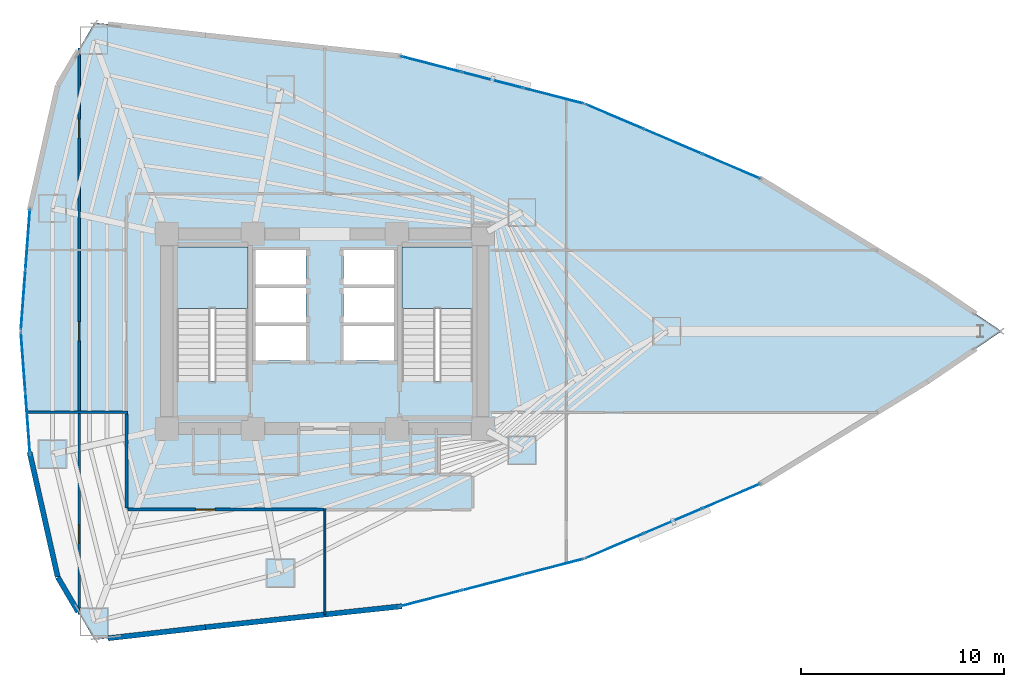
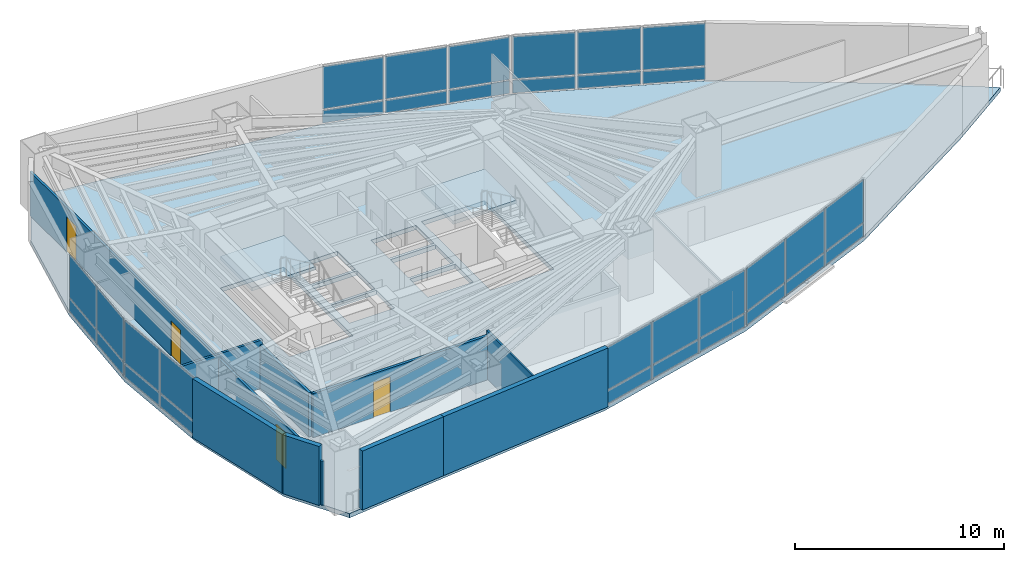
# One storey, part 14 of 20: 32 plates, 9 walls, 4 doors, 3 slabs, 4 openings, 8 elements without a shape of their own.
"""IFC4 building model written with IfcOpenShell, lengths in metres."""

from ifc_helpers import new_model, si_unit, direction, frame, frame_2d, origin, origin_2d, place, context, subcontext, project, spatial, polyline, rectangle, outline, extrude, material, layer, layer_set, type_object, element, fill, aggregate, save


model = new_model("IFC4")

# Units and contexts
model_context = context("Model", 3, precision=1e-05, world=origin(), true_north=direction((0.0, 1.0)))
body_context = subcontext(model_context, "Body", "Model", "MODEL_VIEW")
ifc_project = project(units=[si_unit("LENGTHUNIT", "METRE"), si_unit("AREAUNIT", "SQUARE_METRE"), si_unit("VOLUMEUNIT", "CUBIC_METRE"), si_unit("PLANEANGLEUNIT", "RADIAN"), si_unit("MASSUNIT", "GRAM", prefix="KILO")], contexts=[model_context])

# Site, building, storey
site_placement = place(None, origin())
site = spatial("IfcSite", under=ifc_project, at=site_placement, CompositionType="ELEMENT")
building_placement = place(site_placement, origin())
building = spatial("IfcBuilding", under=site, at=building_placement, Name="Menara Vayukalpa", CompositionType="ELEMENT")
storey_placement = place(building_placement, frame((0.0, 0.0, 64.800048828125)))
storey = spatial("IfcBuildingStorey", under=building, at=storey_placement, Name="L15", CompositionType="ELEMENT", Elevation=64.800048828125)

# Curtain wall, plates
ifc_material_1 = material(Name="Anodised Terracotta Aluminium Alloy 6063-T6", Category="masonry")
ifc_layer_1 = layer(ifc_material_1, 0.179931640625)
ifc_layer_set_1 = layer_set([ifc_layer_1], Name="Anodised Terracotta Aluminium Alloy 6063-T6")
curtain_wall_type = type_object("IfcCurtainWallType", Name="CW-CW4", PredefinedType="USERDEFINED", material=ifc_layer_set_1)
curtain_wall_1_placement = place(storey_placement, origin())
curtain_wall_1 = element("IfcCurtainWall", 1, at=curtain_wall_1_placement, inside=storey, type_object=curtain_wall_type, Name="L15 Sky Bar Cantilever Glazed Curtain Wall CW4 04", ObjectType="UNITISED", PredefinedType="USERDEFINED")
ifc_material_2 = material(Name="Low-E Double Glazing", Category="glass")
ifc_layer_2 = layer(ifc_material_2, 0.0380859375)
ifc_layer_set_2 = layer_set([ifc_layer_2], Name="Low-E Double Glazing")
plate_type = type_object("IfcPlateType", Name="CWP-CW4", PredefinedType="CURTAIN_PANEL", material=ifc_layer_set_2)
plate_1_placement = place(storey_placement, frame((45.634033203125, 30.132080078125, 0.06982421875), z_axis=(0.0, 0.0, 1.0), x_axis=(-0.919961751315, 0.392008132718, 0.0)))
plate_1 = element("IfcPlate", 2, at=plate_1_placement, type_object=plate_type, Name="CW4 panel 1.1", PredefinedType="CURTAIN_PANEL", context=body_context, shape_type="SweptSolid", body=[
    extrude(rectangle(XDim=3.03173828125, YDim=0.0380859375, at=origin_2d()), origin(), (0.0, 0.0, 1.0), 0.7451171875),
])
plate_2_placement = place(storey_placement, frame((45.634033203125, 30.132080078125, 0.884765625), z_axis=(0.0, 0.0, 1.0), x_axis=(-0.919961751315, 0.392008132718, 0.0)))
plate_2 = element("IfcPlate", 3, at=plate_2_placement, type_object=plate_type, Name="CW4 panel 1.2", PredefinedType="CURTAIN_PANEL", context=body_context, shape_type="SweptSolid", body=[
    extrude(rectangle(XDim=3.03173828125, YDim=0.0380859375, at=origin_2d()), origin(), (0.0, 0.0, 1.0), 2.485107421875),
])
plate_3_placement = place(storey_placement, frame((42.7587890625, 31.357177734375, 0.06982421875), z_axis=(0.0, 0.0, 1.0), x_axis=(-0.919961751315, 0.392008132718, 0.0)))
plate_3 = element("IfcPlate", 4, at=plate_3_placement, type_object=plate_type, Name="CW4 panel 2.1", PredefinedType="CURTAIN_PANEL", context=body_context, shape_type="SweptSolid", body=[
    extrude(rectangle(XDim=3.069091796875, YDim=0.0380859375, at=origin_2d()), origin(), (0.0, 0.0, 1.0), 0.7451171875),
])
plate_4_placement = place(storey_placement, frame((42.7587890625, 31.357177734375, 0.884765625), z_axis=(0.0, 0.0, 1.0), x_axis=(-0.919961751315, 0.392008132718, 0.0)))
plate_4 = element("IfcPlate", 5, at=plate_4_placement, type_object=plate_type, Name="CW4 panel 2.2", PredefinedType="CURTAIN_PANEL", context=body_context, shape_type="SweptSolid", body=[
    extrude(rectangle(XDim=3.069091796875, YDim=0.0380859375, at=origin_2d()), origin(), (0.0, 0.0, 1.0), 2.485107421875),
])
plate_5_placement = place(storey_placement, frame((39.883544921875, 32.582275390625, 0.06982421875), z_axis=(0.0, 0.0, 1.0), x_axis=(-0.919961751315, 0.392008132718, 0.0)))
plate_5 = element("IfcPlate", 6, at=plate_5_placement, type_object=plate_type, Name="CW4 panel 3.1", PredefinedType="CURTAIN_PANEL", context=body_context, shape_type="SweptSolid", body=[
    extrude(rectangle(XDim=3.03173828125, YDim=0.0380859375, at=origin_2d()), origin(), (0.0, 0.0, 1.0), 0.7451171875),
])
plate_6_placement = place(storey_placement, frame((39.883544921875, 32.582275390625, 0.884765625), z_axis=(0.0, 0.0, 1.0), x_axis=(-0.919961751315, 0.392008132718, 0.0)))
plate_6 = element("IfcPlate", 7, at=plate_6_placement, type_object=plate_type, Name="CW4 panel 3.2", PredefinedType="CURTAIN_PANEL", context=body_context, shape_type="SweptSolid", body=[
    extrude(rectangle(XDim=3.03173828125, YDim=0.0380859375, at=origin_2d()), origin(), (0.0, 0.0, 1.0), 2.485107421875),
])
aggregate(curtain_wall_1, [plate_1, plate_2, plate_3, plate_4, plate_5, plate_6])

curtain_wall_2_placement = place(storey_placement, origin())
curtain_wall_2 = element("IfcCurtainWall", 8, at=curtain_wall_2_placement, inside=storey, type_object=curtain_wall_type, Name="L15 Sky Bar Cantilever Glazed Curtain Wall CW4 05", ObjectType="UNITISED", PredefinedType="USERDEFINED")
plate_7_placement = place(storey_placement, frame((36.8798828125, 33.604248046875, 0.06982421875), z_axis=(0.0, 0.0, 1.0), x_axis=(-0.968141727209, 0.25040286747, 0.0)))
plate_7 = element("IfcPlate", 9, at=plate_7_placement, type_object=plate_type, Name="CW4 panel 1.1", PredefinedType="CURTAIN_PANEL", context=body_context, shape_type="SweptSolid", body=[
    extrude(rectangle(XDim=3.03173828125, YDim=0.0380859375, at=origin_2d()), origin(), (0.0, 0.0, 1.0), 0.7451171875),
])
plate_8_placement = place(storey_placement, frame((36.8798828125, 33.604248046875, 0.884765625), z_axis=(0.0, 0.0, 1.0), x_axis=(-0.968141727209, 0.25040286747, 0.0)))
plate_8 = element("IfcPlate", 10, at=plate_8_placement, type_object=plate_type, Name="CW4 panel 1.2", PredefinedType="CURTAIN_PANEL", context=body_context, shape_type="SweptSolid", body=[
    extrude(rectangle(XDim=3.03173828125, YDim=0.0380859375, at=origin_2d()), origin(), (0.0, 0.0, 1.0), 2.485107421875),
])
plate_9_placement = place(storey_placement, frame((33.854248046875, 34.386962890625, 0.06982421875), z_axis=(0.0, 0.0, 1.0), x_axis=(-0.968141727209, 0.25040286747, 0.0)))
plate_9 = element("IfcPlate", 11, at=plate_9_placement, type_object=plate_type, Name="CW4 panel 2.1", PredefinedType="CURTAIN_PANEL", context=body_context, shape_type="SweptSolid", body=[
    extrude(rectangle(XDim=3.069091796875, YDim=0.0380859375, at=origin_2d()), origin(), (0.0, 0.0, 1.0), 0.7451171875),
])
plate_10_placement = place(storey_placement, frame((33.854248046875, 34.386962890625, 0.884765625), z_axis=(0.0, 0.0, 1.0), x_axis=(-0.968141727209, 0.25040286747, 0.0)))
plate_10 = element("IfcPlate", 12, at=plate_10_placement, type_object=plate_type, Name="CW4 panel 2.2", PredefinedType="CURTAIN_PANEL", context=body_context, shape_type="SweptSolid", body=[
    extrude(rectangle(XDim=3.069091796875, YDim=0.0380859375, at=origin_2d()), origin(), (0.0, 0.0, 1.0), 2.485107421875),
])
plate_11_placement = place(storey_placement, frame((30.828369140625, 35.16943359375, 0.06982421875), z_axis=(0.0, 0.0, 1.0), x_axis=(-0.968141727209, 0.25040286747, 0.0)))
plate_11 = element("IfcPlate", 13, at=plate_11_placement, type_object=plate_type, Name="CW4 panel 3.1", PredefinedType="CURTAIN_PANEL", context=body_context, shape_type="SweptSolid", body=[
    extrude(rectangle(XDim=3.03173828125, YDim=0.0380859375, at=origin_2d()), origin(), (0.0, 0.0, 1.0), 0.7451171875),
])
plate_12_placement = place(storey_placement, frame((30.828369140625, 35.16943359375, 0.884765625), z_axis=(0.0, 0.0, 1.0), x_axis=(-0.968141727209, 0.25040286747, 0.0)))
plate_12 = element("IfcPlate", 14, at=plate_12_placement, type_object=plate_type, Name="CW4 panel 3.2", PredefinedType="CURTAIN_PANEL", context=body_context, shape_type="SweptSolid", body=[
    extrude(rectangle(XDim=3.03173828125, YDim=0.0380859375, at=origin_2d()), origin(), (0.0, 0.0, 1.0), 2.485107421875),
])
aggregate(curtain_wall_2, [plate_7, plate_8, plate_9, plate_10, plate_11, plate_12])

curtain_wall_3_placement = place(storey_placement, origin())
curtain_wall_3 = element("IfcCurtainWall", 15, at=curtain_wall_3_placement, inside=storey, type_object=curtain_wall_type, Name="L15 Sky Bar Cantilever Glazed Curtain Wall CW4 10", ObjectType="UNITISED", PredefinedType="USERDEFINED")
plate_13_placement = place(storey_placement, frame((10.94921875, 26.526123046875, 0.06982421875), z_axis=(0.0, 0.0, 1.0), x_axis=(-0.074794857576, -0.997198941676, 0.0)))
plate_13 = element("IfcPlate", 16, at=plate_13_placement, type_object=plate_type, Name="CW4 panel 1.1", PredefinedType="CURTAIN_PANEL", context=body_context, shape_type="SweptSolid", body=[
    extrude(rectangle(XDim=2.92578125, YDim=0.0380859375, at=origin_2d()), origin(), (0.0, 0.0, 1.0), 0.7451171875),
])
plate_14_placement = place(storey_placement, frame((10.94921875, 26.526123046875, 0.884765625), z_axis=(0.0, 0.0, 1.0), x_axis=(-0.074794857576, -0.997198941676, 0.0)))
plate_14 = element("IfcPlate", 17, at=plate_14_placement, type_object=plate_type, Name="CW4 panel 1.2", PredefinedType="CURTAIN_PANEL", context=body_context, shape_type="SweptSolid", body=[
    extrude(rectangle(XDim=2.92578125, YDim=0.0380859375, at=origin_2d()), origin(), (0.0, 0.0, 1.0), 2.485107421875),
])
plate_15_placement = place(storey_placement, frame((10.724609375, 23.53369140625, 0.06982421875), z_axis=(0.0, 0.0, 1.0), x_axis=(-0.074794857576, -0.997198941676, 0.0)))
plate_15 = element("IfcPlate", 18, at=plate_15_placement, type_object=plate_type, Name="CW4 panel 2.1", PredefinedType="CURTAIN_PANEL", context=body_context, shape_type="SweptSolid", body=[
    extrude(rectangle(XDim=2.92578125, YDim=0.0380859375, at=origin_2d()), origin(), (0.0, 0.0, 1.0), 0.7451171875),
])
plate_16_placement = place(storey_placement, frame((10.724609375, 23.53369140625, 0.884765625), z_axis=(0.0, 0.0, 1.0), x_axis=(-0.074794857576, -0.997198941676, 0.0)))
plate_16 = element("IfcPlate", 19, at=plate_16_placement, type_object=plate_type, Name="CW4 panel 2.2", PredefinedType="CURTAIN_PANEL", context=body_context, shape_type="SweptSolid", body=[
    extrude(rectangle(XDim=2.92578125, YDim=0.0380859375, at=origin_2d()), origin(), (0.0, 0.0, 1.0), 2.485107421875),
])
aggregate(curtain_wall_3, [plate_13, plate_14, plate_15, plate_16])

curtain_wall_4_placement = place(storey_placement, origin())
curtain_wall_4 = element("IfcCurtainWall", 20, at=curtain_wall_4_placement, inside=storey, type_object=curtain_wall_type, Name="L15 Sky Bar Cantilever Glazed Curtain Wall CW4 11", ObjectType="UNITISED", PredefinedType="USERDEFINED")
plate_17_placement = place(storey_placement, frame((10.724609375, 20.46630859375, 0.06982421875), z_axis=(0.0, 0.0, 1.0), x_axis=(0.074794857576, -0.997198941676, 0.0)))
plate_17 = element("IfcPlate", 21, at=plate_17_placement, type_object=plate_type, Name="CW4 panel 1.1", PredefinedType="CURTAIN_PANEL", context=body_context, shape_type="SweptSolid", body=[
    extrude(rectangle(XDim=2.92578125, YDim=0.0380859375, at=origin_2d()), origin(), (0.0, 0.0, 1.0), 0.7451171875),
])
plate_18_placement = place(storey_placement, frame((10.724609375, 20.46630859375, 0.884765625), z_axis=(0.0, 0.0, 1.0), x_axis=(0.074794857576, -0.997198941676, 0.0)))
plate_18 = element("IfcPlate", 22, at=plate_18_placement, type_object=plate_type, Name="CW4 panel 1.2", PredefinedType="CURTAIN_PANEL", context=body_context, shape_type="SweptSolid", body=[
    extrude(rectangle(XDim=2.92578125, YDim=0.0380859375, at=origin_2d()), origin(), (0.0, 0.0, 1.0), 2.485107421875),
])
plate_19_placement = place(storey_placement, frame((10.94921875, 17.473876953125, 0.06982421875), z_axis=(0.0, 0.0, 1.0), x_axis=(0.074794857576, -0.997198941676, 0.0)))
plate_19 = element("IfcPlate", 23, at=plate_19_placement, type_object=plate_type, Name="CW4 panel 2.1", PredefinedType="CURTAIN_PANEL", context=body_context, shape_type="SweptSolid", body=[
    extrude(rectangle(XDim=2.92578125, YDim=0.0380859375, at=origin_2d()), origin(), (0.0, 0.0, 1.0), 0.7451171875),
])
plate_20_placement = place(storey_placement, frame((10.94921875, 17.473876953125, 0.884765625), z_axis=(0.0, 0.0, 1.0), x_axis=(0.074794857576, -0.997198941676, 0.0)))
plate_20 = element("IfcPlate", 24, at=plate_20_placement, type_object=plate_type, Name="CW4 panel 2.2", PredefinedType="CURTAIN_PANEL", context=body_context, shape_type="SweptSolid", body=[
    extrude(rectangle(XDim=2.92578125, YDim=0.0380859375, at=origin_2d()), origin(), (0.0, 0.0, 1.0), 2.485107421875),
])
aggregate(curtain_wall_4, [plate_17, plate_18, plate_19, plate_20])

curtain_wall_5_placement = place(storey_placement, origin())
curtain_wall_5 = element("IfcCurtainWall", 25, at=curtain_wall_5_placement, inside=storey, type_object=curtain_wall_type, Name="L15 Sky Bar Cantilever Glazed Curtain Wall CW4 16", ObjectType="UNITISED", PredefinedType="USERDEFINED")
plate_21_placement = place(storey_placement, frame((30.828369140625, 8.83056640625, 0.06982421875), z_axis=(0.0, 0.0, 1.0), x_axis=(0.968141727209, 0.25040286747, 0.0)))
plate_21 = element("IfcPlate", 26, at=plate_21_placement, type_object=plate_type, Name="CW4 panel 1.1", PredefinedType="CURTAIN_PANEL", context=body_context, shape_type="SweptSolid", body=[
    extrude(rectangle(XDim=3.03173828125, YDim=0.0380859375, at=origin_2d()), origin(), (0.0, 0.0, 1.0), 0.7451171875),
])
plate_22_placement = place(storey_placement, frame((30.828369140625, 8.83056640625, 0.884765625), z_axis=(0.0, 0.0, 1.0), x_axis=(0.968141727209, 0.25040286747, 0.0)))
plate_22 = element("IfcPlate", 27, at=plate_22_placement, type_object=plate_type, Name="CW4 panel 1.2", PredefinedType="CURTAIN_PANEL", context=body_context, shape_type="SweptSolid", body=[
    extrude(rectangle(XDim=3.03173828125, YDim=0.0380859375, at=origin_2d()), origin(), (0.0, 0.0, 1.0), 2.485107421875),
])
plate_23_placement = place(storey_placement, frame((33.854248046875, 9.613037109375, 0.06982421875), z_axis=(0.0, 0.0, 1.0), x_axis=(0.968141727209, 0.25040286747, 0.0)))
plate_23 = element("IfcPlate", 28, at=plate_23_placement, type_object=plate_type, Name="CW4 panel 2.1", PredefinedType="CURTAIN_PANEL", context=body_context, shape_type="SweptSolid", body=[
    extrude(rectangle(XDim=3.069091796875, YDim=0.0380859375, at=origin_2d()), origin(), (0.0, 0.0, 1.0), 0.7451171875),
])
plate_24_placement = place(storey_placement, frame((33.854248046875, 9.613037109375, 0.884765625), z_axis=(0.0, 0.0, 1.0), x_axis=(0.968141727209, 0.25040286747, 0.0)))
plate_24 = element("IfcPlate", 29, at=plate_24_placement, type_object=plate_type, Name="CW4 panel 2.2", PredefinedType="CURTAIN_PANEL", context=body_context, shape_type="SweptSolid", body=[
    extrude(rectangle(XDim=3.069091796875, YDim=0.0380859375, at=origin_2d()), origin(), (0.0, 0.0, 1.0), 2.485107421875),
])
plate_25_placement = place(storey_placement, frame((36.8798828125, 10.395751953125, 0.06982421875), z_axis=(0.0, 0.0, 1.0), x_axis=(0.968141727209, 0.25040286747, 0.0)))
plate_25 = element("IfcPlate", 30, at=plate_25_placement, type_object=plate_type, Name="CW4 panel 3.1", PredefinedType="CURTAIN_PANEL", context=body_context, shape_type="SweptSolid", body=[
    extrude(rectangle(XDim=3.03173828125, YDim=0.0380859375, at=origin_2d()), origin(), (0.0, 0.0, 1.0), 0.7451171875),
])
plate_26_placement = place(storey_placement, frame((36.8798828125, 10.395751953125, 0.884765625), z_axis=(0.0, 0.0, 1.0), x_axis=(0.968141727209, 0.25040286747, 0.0)))
plate_26 = element("IfcPlate", 31, at=plate_26_placement, type_object=plate_type, Name="CW4 panel 3.2", PredefinedType="CURTAIN_PANEL", context=body_context, shape_type="SweptSolid", body=[
    extrude(rectangle(XDim=3.03173828125, YDim=0.0380859375, at=origin_2d()), origin(), (0.0, 0.0, 1.0), 2.485107421875),
])
aggregate(curtain_wall_5, [plate_21, plate_22, plate_23, plate_24, plate_25, plate_26])

curtain_wall_6_placement = place(storey_placement, origin())
curtain_wall_6 = element("IfcCurtainWall", 32, at=curtain_wall_6_placement, inside=storey, type_object=curtain_wall_type, Name="L15 Sky Bar Cantilever Glazed Curtain Wall CW4 17", ObjectType="UNITISED", PredefinedType="USERDEFINED")
plate_27_placement = place(storey_placement, frame((39.883544921875, 11.417724609375, 0.06982421875), z_axis=(0.0, 0.0, 1.0), x_axis=(0.919961751315, 0.392008132718, 0.0)))
plate_27 = element("IfcPlate", 33, at=plate_27_placement, type_object=plate_type, Name="CW4 panel 1.1", PredefinedType="CURTAIN_PANEL", context=body_context, shape_type="SweptSolid", body=[
    extrude(rectangle(XDim=3.03173828125, YDim=0.0380859375, at=origin_2d()), origin(), (0.0, 0.0, 1.0), 0.7451171875),
])
plate_28_placement = place(storey_placement, frame((39.883544921875, 11.417724609375, 0.884765625), z_axis=(0.0, 0.0, 1.0), x_axis=(0.919961751315, 0.392008132718, 0.0)))
plate_28 = element("IfcPlate", 34, at=plate_28_placement, type_object=plate_type, Name="CW4 panel 1.2", PredefinedType="CURTAIN_PANEL", context=body_context, shape_type="SweptSolid", body=[
    extrude(rectangle(XDim=3.03173828125, YDim=0.0380859375, at=origin_2d()), origin(), (0.0, 0.0, 1.0), 2.485107421875),
])
plate_29_placement = place(storey_placement, frame((42.7587890625, 12.642822265625, 0.06982421875), z_axis=(0.0, 0.0, 1.0), x_axis=(0.919961751315, 0.392008132718, 0.0)))
plate_29 = element("IfcPlate", 35, at=plate_29_placement, type_object=plate_type, Name="CW4 panel 2.1", PredefinedType="CURTAIN_PANEL", context=body_context, shape_type="SweptSolid", body=[
    extrude(rectangle(XDim=3.069091796875, YDim=0.0380859375, at=origin_2d()), origin(), (0.0, 0.0, 1.0), 0.7451171875),
])
plate_30_placement = place(storey_placement, frame((42.7587890625, 12.642822265625, 0.884765625), z_axis=(0.0, 0.0, 1.0), x_axis=(0.919961751315, 0.392008132718, 0.0)))
plate_30 = element("IfcPlate", 36, at=plate_30_placement, type_object=plate_type, Name="CW4 panel 2.2", PredefinedType="CURTAIN_PANEL", context=body_context, shape_type="SweptSolid", body=[
    extrude(rectangle(XDim=3.069091796875, YDim=0.0380859375, at=origin_2d()), origin(), (0.0, 0.0, 1.0), 2.485107421875),
])
plate_31_placement = place(storey_placement, frame((45.634033203125, 13.867919921875, 0.06982421875), z_axis=(0.0, 0.0, 1.0), x_axis=(0.919961751315, 0.392008132718, 0.0)))
plate_31 = element("IfcPlate", 37, at=plate_31_placement, type_object=plate_type, Name="CW4 panel 3.1", PredefinedType="CURTAIN_PANEL", context=body_context, shape_type="SweptSolid", body=[
    extrude(rectangle(XDim=3.03173828125, YDim=0.0380859375, at=origin_2d()), origin(), (0.0, 0.0, 1.0), 0.7451171875),
])
plate_32_placement = place(storey_placement, frame((45.634033203125, 13.867919921875, 0.884765625), z_axis=(0.0, 0.0, 1.0), x_axis=(0.919961751315, 0.392008132718, 0.0)))
plate_32 = element("IfcPlate", 38, at=plate_32_placement, type_object=plate_type, Name="CW4 panel 3.2", PredefinedType="CURTAIN_PANEL", context=body_context, shape_type="SweptSolid", body=[
    extrude(rectangle(XDim=3.03173828125, YDim=0.0380859375, at=origin_2d()), origin(), (0.0, 0.0, 1.0), 2.485107421875),
])
aggregate(curtain_wall_6, [plate_27, plate_28, plate_29, plate_30, plate_31, plate_32])

# Slab
ifc_material_3 = material(Name="Concrete C40/50", Category="concrete")
ifc_layer_3 = layer(ifc_material_3, 0.25)
ifc_layer_set_3 = layer_set([ifc_layer_3], Name="Concrete C40/50")
slab_type_1 = type_object("IfcSlabType", Name="SLB-FL250", PredefinedType="FLOOR", material=ifc_layer_set_3)
slab_1_placement = place(storey_placement, frame((0.0, 0.0, -0.25)))
element("IfcSlab", 39, at=slab_1_placement, inside=storey, type_object=slab_type_1, Name="L15 Sky Bar Structural Floor Slab", PredefinedType="FLOOR", context=body_context, shape_type="SweptSolid", body=[
    extrude(outline(polyline([(55.320556640625, 19.52490234375), (58.957763671875, 22.0), (55.320556640625, 24.47509765625), (47.09765625, 29.50830078125), (38.420166015625, 33.2060546875), (29.2880859375, 35.56787109375), (19.701904296875, 36.59423828125), (14.24609375, 37.212890625), (12.427490234375, 34.119140625), (11.064208984375, 28.0595703125), (10.609619140625, 22.0), (11.064208984375, 15.9404296875), (12.427490234375, 9.880859375), (14.24609375, 6.787109375), (19.701904296875, 7.40576171875), (29.2880859375, 8.43212890625), (38.420166015625, 10.7939453125), (47.09765625, 14.49169921875), (55.320556640625, 19.52490234375)]), holes=[polyline([(21.800048828125, 19.550048828125), (21.800048828125, 26.14990234375), (18.300048828125, 26.14990234375), (18.300048828125, 19.550048828125), (21.800048828125, 19.550048828125)]), polyline([(32.89990234375, 19.550048828125), (32.89990234375, 26.14990234375), (29.39990234375, 26.14990234375), (29.39990234375, 19.550048828125), (32.89990234375, 19.550048828125)]), polyline([(22.179931640625, 20.550048828125), (24.679931640625, 20.550048828125), (24.679931640625, 22.27001953125), (22.179931640625, 22.27001953125), (22.179931640625, 20.550048828125)]), polyline([(26.52001953125, 20.550048828125), (29.02001953125, 20.550048828125), (29.02001953125, 22.27001953125), (26.52001953125, 22.27001953125), (26.52001953125, 20.550048828125)]), polyline([(22.179931640625, 22.419921875), (24.679931640625, 22.419921875), (24.679931640625, 24.139892578125), (22.179931640625, 24.139892578125), (22.179931640625, 22.419921875)]), polyline([(22.179931640625, 24.2900390625), (24.679931640625, 24.2900390625), (24.679931640625, 26.010009765625), (22.179931640625, 26.010009765625), (22.179931640625, 24.2900390625)]), polyline([(26.52001953125, 24.2900390625), (29.02001953125, 24.2900390625), (29.02001953125, 26.010009765625), (26.52001953125, 26.010009765625), (26.52001953125, 24.2900390625)]), polyline([(26.52001953125, 22.419921875), (29.02001953125, 22.419921875), (29.02001953125, 24.139892578125), (26.52001953125, 24.139892578125), (26.52001953125, 22.419921875)])]), origin(), (0.0, 0.0, 1.0), 0.25),
])

# Stair, slab
ifc_material_4 = material(Name="Precast Concrete C40/50", Category="concrete")
stair_type = type_object("IfcStairType", Name="STR-T04", PredefinedType="DOUBLE_RETURN_STAIR", material=ifc_material_4)
stair_1_placement = place(storey_placement, origin())
stair_1 = element("IfcStair", 40, at=stair_1_placement, inside=storey, type_object=stair_type, Name="L15 Core Exit Stair ST-1", PredefinedType="DOUBLE_RETURN_STAIR")
ifc_material_5 = material(Name="Precast Concrete C40/50", Category="concrete")
ifc_layer_4 = layer(ifc_material_5, 0.199951171875)
ifc_layer_set_4 = layer_set([ifc_layer_4], Name="Precast Concrete C40/50")
slab_type_2 = type_object("IfcSlabType", Name="SLB-LND200", PredefinedType="LANDING", material=ifc_layer_set_4)
slab_2_placement = place(storey_placement, frame((0.0, 0.0, 1.659912109375)))
slab_2 = element("IfcSlab", 41, at=slab_2_placement, type_object=slab_type_2, Name="ST-1 landing 1", PredefinedType="LANDING", context=body_context, shape_type="SweptSolid", body=[
    extrude(outline(polyline([(21.800048828125, 23.1298828125), (21.800048828125, 26.14990234375), (18.300048828125, 26.14990234375), (18.300048828125, 23.1298828125), (21.800048828125, 23.1298828125)])), origin(), (0.0, 0.0, 1.0), 0.199951171875),
])
aggregate(stair_1, [slab_2])

stair_2_placement = place(storey_placement, origin())
stair_2 = element("IfcStair", 42, at=stair_2_placement, inside=storey, type_object=stair_type, Name="L15 Core Exit Stair ST-2", PredefinedType="DOUBLE_RETURN_STAIR")
slab_3_placement = place(storey_placement, frame((0.0, 0.0, 1.659912109375)))
slab_3 = element("IfcSlab", 43, at=slab_3_placement, type_object=slab_type_2, Name="ST-2 landing 1", PredefinedType="LANDING", context=body_context, shape_type="SweptSolid", body=[
    extrude(outline(polyline([(32.89990234375, 23.1298828125), (32.89990234375, 26.14990234375), (29.39990234375, 26.14990234375), (29.39990234375, 23.1298828125), (32.89990234375, 23.1298828125)])), origin(), (0.0, 0.0, 1.0), 0.199951171875),
])
aggregate(stair_2, [slab_3])

# Walls
ifc_material_6 = material(Name="Insulated Precast Concrete C40/50", Category="concrete")
ifc_layer_5 = layer(ifc_material_6, 0.260009765625)
ifc_layer_set_5 = layer_set([ifc_layer_5], Name="Insulated Precast Concrete C40/50")
wall_type_1 = type_object("IfcWallType", Name="WAL-EXT260", PredefinedType="PARTITIONING", material=ifc_layer_set_5)
wall_1_placement = place(storey_placement, frame((12.425537109375, 9.8896484375, 0.0), z_axis=(0.0, 0.0, 1.0), x_axis=(-0.219505752381, 0.975611205692, 0.0)))
element("IfcWall", 44, at=wall_1_placement, inside=storey, type_object=wall_type_1, Name="L15 Perimeter Terracotta Pier Wall 12", PredefinedType="PARTITIONING", context=body_context, shape_type="SweptSolid", body=[
    extrude(rectangle(XDim=6.31201171875, YDim=0.260009765625, at=frame_2d((3.156005859375, 0.0))), origin(), (0.0, 0.0, 1.0), 3.43994140625),
])
wall_2_placement = place(storey_placement, frame((13.4384765625, 8.1611328125, 0.0), z_axis=(0.0, 0.0, 1.0), x_axis=(-0.506772954594, 0.862079562739, 0.0)))
element("IfcWall", 45, at=wall_2_placement, inside=storey, type_object=wall_type_1, Name="L15 Perimeter Terracotta Pier Wall 13", PredefinedType="PARTITIONING", context=body_context, shape_type="SweptSolid", body=[
    extrude(rectangle(XDim=1.98583984375, YDim=0.260009765625, at=frame_2d((0.992919921875, 0.0))), origin(), (0.0, 0.0, 1.0), 3.43994140625),
])
wall_3_placement = place(storey_placement, frame((19.707763671875, 7.406494140625, 0.0), z_axis=(0.0, 0.0, 1.0), x_axis=(-0.993630237788, -0.112689620435, 0.0)))
element("IfcWall", 46, at=wall_3_placement, inside=storey, type_object=wall_type_1, Name="L15 Perimeter Terracotta Pier Wall 14", PredefinedType="PARTITIONING", context=body_context, shape_type="SweptSolid", body=[
    extrude(rectangle(XDim=4.8291015625, YDim=0.260009765625, at=frame_2d((2.41455078125, 0.0))), origin(), (0.0, 0.0, 1.0), 3.43994140625),
])
wall_4_placement = place(storey_placement, frame((29.397705078125, 8.44384765625, 0.0), z_axis=(0.0, 0.0, 1.0), x_axis=(-0.994319088673, -0.106440358419, 0.0)))
element("IfcWall", 47, at=wall_4_placement, inside=storey, type_object=wall_type_1, Name="L15 Perimeter Terracotta Pier Wall 15", PredefinedType="PARTITIONING", context=body_context, shape_type="SweptSolid", body=[
    extrude(rectangle(XDim=9.75732421875, YDim=0.260009765625, at=frame_2d((4.878662109375, 0.0))), origin(), (0.0, 0.0, 1.0), 3.43994140625),
])
ifc_material_7 = material(Name="Glazed Demountable Office Partition", Category="glass")
ifc_layer_6 = layer(ifc_material_7, 0.094970703125)
ifc_layer_set_6 = layer_set([ifc_layer_6], Name="Glazed Demountable Office Partition")
wall_type_2 = type_object("IfcWallType", Name="WAL-PT100", PredefinedType="PARTITIONING", material=ifc_layer_set_6)
wall_5_placement = place(storey_placement, frame((25.60009765625, 8.027099609375, 0.0), z_axis=(0.0, 0.0, 1.0), x_axis=(0.0, 1.0, 0.0)))
element("IfcWall", 48, at=wall_5_placement, inside=storey, type_object=wall_type_2, Name="L15 Interior Partition IW-L15-RDIV02", PredefinedType="PARTITIONING", context=body_context, shape_type="SweptSolid", body=[
    extrude(rectangle(XDim=5.23291015625, YDim=0.094970703125, at=frame_2d((2.616455078125, 0.0))), origin(), (0.0, 0.0, 1.0), 2.820068359375),
])

# Wall, openings, doors
ifc_material_8 = material(Name="Gypsum Drywall Steel Stud Assembly", Category="steel")
ifc_layer_7 = layer(ifc_material_8, 0.125)
ifc_layer_set_7 = layer_set([ifc_layer_7], Name="Gypsum Drywall Steel Stud Assembly")
wall_type_3 = type_object("IfcWallType", Name="WAL-PT125", PredefinedType="PARTITIONING", material=ifc_layer_set_7)
wall_6_placement = place(storey_placement, frame((13.5, 8.036865234375, 0.0), z_axis=(0.0, 0.0, 1.0), x_axis=(0.0, 1.0, 0.0)))
wall_6 = element("IfcWall", 49, at=wall_6_placement, inside=storey, type_object=wall_type_3, Name="L15 Interior Partition IW-L15-RDIV01", PredefinedType="PARTITIONING", context=body_context, shape_type="SweptSolid", body=[
    extrude(rectangle(XDim=27.92626953125, YDim=0.125, at=frame_2d((13.963134765625, 0.0))), origin(), (0.0, 0.0, 1.0), 2.570068359375),
])
opening_1_placement = place(wall_6_placement, frame((3.51318359375, 0.0, 0.0)))
opening_1 = element("IfcOpeningElement", 50, at=opening_1_placement, cuts=wall_6, Name="Opening ID6", PredefinedType="OPENING", context=body_context, shape_type="SweptSolid", body=[
    extrude(rectangle(XDim=0.919921875, YDim=2.050048828125, at=frame_2d((0.4599609375, 1.02490234375))), frame((0.0, 0.072509765625, 0.0), z_axis=(0.0, -1.0, 0.0), x_axis=(1.0, 0.0, 0.0)), (0.0, 0.0, 1.0), 0.14501953125),
])
opening_2_placement = place(wall_6_placement, frame((23.493408203125, 0.0, 0.0)))
opening_2 = element("IfcOpeningElement", 51, at=opening_2_placement, cuts=wall_6, Name="Opening ID6", PredefinedType="OPENING", context=body_context, shape_type="SweptSolid", body=[
    extrude(rectangle(XDim=0.919921875, YDim=2.050048828125, at=frame_2d((0.4599609375, 1.02490234375))), frame((0.0, 0.072509765625, 0.0), z_axis=(0.0, -1.0, 0.0), x_axis=(1.0, 0.0, 0.0)), (0.0, 0.0, 1.0), 0.14501953125),
])
opening_3_placement = place(wall_6_placement, frame((13.503173828125, 0.0, 0.0)))
opening_3 = element("IfcOpeningElement", 52, at=opening_3_placement, cuts=wall_6, Name="Opening ID6", PredefinedType="OPENING", context=body_context, shape_type="SweptSolid", body=[
    extrude(rectangle(XDim=0.919921875, YDim=2.050048828125, at=frame_2d((0.4599609375, 1.02490234375))), frame((0.0, 0.072509765625, 0.0), z_axis=(0.0, -1.0, 0.0), x_axis=(1.0, 0.0, 0.0)), (0.0, 0.0, 1.0), 0.14501953125),
])
ifc_material_9 = material(Name="Acoustic Hardwood Veneer Timber Door", Category="wood")
door_type_1 = type_object("IfcDoorType", Name="DR-INT92", OperationType="NOTDEFINED", PredefinedType="DOOR", material=ifc_material_9)
door_1_placement = place(opening_1_placement, origin())
door_1 = element("IfcDoor", 53, at=door_1_placement, inside=storey, type_object=door_type_1, Name="L15 Interior Door DR-L15-STE01", OperationType="SINGLE_SWING_RIGHT", OverallHeight=2.050048828125, OverallWidth=0.919921875, PredefinedType="DOOR", context=body_context, shape_type="SweptSolid", body=[
    extrude(rectangle(XDim=0.919921875, YDim=2.050048828125, at=frame_2d((0.4599609375, 1.02490234375))), frame((0.0, 0.02490234375, 0.0), z_axis=(0.0, -1.0, 0.0), x_axis=(1.0, 0.0, 0.0)), (0.0, 0.0, 1.0), 0.050048828125),
])
fill(opening_1, door_1)
door_2_placement = place(opening_2_placement, origin())
door_2 = element("IfcDoor", 54, at=door_2_placement, inside=storey, type_object=door_type_1, Name="L15 Interior Door DR-L15-STE11", OperationType="SINGLE_SWING_LEFT", OverallHeight=2.050048828125, OverallWidth=0.919921875, PredefinedType="DOOR", context=body_context, shape_type="SweptSolid", body=[
    extrude(rectangle(XDim=0.919921875, YDim=2.050048828125, at=frame_2d((0.4599609375, 1.02490234375))), frame((0.0, 0.02490234375, 0.0), z_axis=(0.0, -1.0, 0.0), x_axis=(1.0, 0.0, 0.0)), (0.0, 0.0, 1.0), 0.050048828125),
])
fill(opening_2, door_2)
door_3_placement = place(opening_3_placement, origin())
door_3 = element("IfcDoor", 55, at=door_3_placement, inside=storey, type_object=door_type_1, Name="L15 Interior Door DR-L15-STE12", OperationType="SINGLE_SWING_RIGHT", OverallHeight=2.050048828125, OverallWidth=0.919921875, PredefinedType="DOOR", context=body_context, shape_type="SweptSolid", body=[
    extrude(rectangle(XDim=0.919921875, YDim=2.050048828125, at=frame_2d((0.4599609375, 1.02490234375))), frame((0.0, 0.02490234375, 0.0), z_axis=(0.0, -1.0, 0.0), x_axis=(1.0, 0.0, 0.0)), (0.0, 0.0, 1.0), 0.050048828125),
])
fill(opening_3, door_3)

# Walls
wall_7_placement = place(storey_placement, frame((10.899658203125, 18.0, 0.0), z_axis=(0.0, 0.0, 1.0), x_axis=(1.0, 0.0, 0.0)))
element("IfcWall", 56, at=wall_7_placement, inside=storey, type_object=wall_type_3, Name="L15 Interior Partition IW-L15-RDIV05", PredefinedType="PARTITIONING", context=body_context, shape_type="SweptSolid", body=[
    extrude(rectangle(XDim=4.970458984375, YDim=0.125, at=frame_2d((2.4853515625, 0.0))), origin(), (0.0, 0.0, 1.0), 2.820068359375),
])
ifc_material_10 = material(Name="Gypsum Drywall Acoustic Stud Assembly", Category="masonry")
ifc_layer_8 = layer(ifc_material_10, 0.14501953125)
ifc_layer_set_8 = layer_set([ifc_layer_8], Name="Gypsum Drywall Acoustic Stud Assembly")
wall_type_4 = type_object("IfcWallType", Name="WAL-PT150", PredefinedType="PARTITIONING", material=ifc_layer_set_8)
wall_8_placement = place(storey_placement, frame((15.820068359375, 17.929931640625, 0.0), z_axis=(0.0, 0.0, 1.0), x_axis=(0.0, -1.0, 0.0)))
element("IfcWall", 57, at=wall_8_placement, inside=storey, type_object=wall_type_4, Name="L15 Interior Partition IW-L15-CRM03-1", PredefinedType="PARTITIONING", context=body_context, shape_type="SweptSolid", body=[
    extrude(rectangle(XDim=4.639892578125, YDim=0.14501953125, at=frame_2d((2.31982421875, 0.0))), origin(), (0.0, 0.0, 1.0), 2.570068359375),
])

# Wall, opening, door
wall_9_placement = place(storey_placement, frame((15.89990234375, 13.2099609375, 0.0), z_axis=(0.0, 0.0, 1.0), x_axis=(1.0, 0.0, 0.0)))
wall_9 = element("IfcWall", 58, at=wall_9_placement, inside=storey, type_object=wall_type_4, Name="L15 Interior Partition IW-L15-CRM03-2", PredefinedType="PARTITIONING", context=body_context, shape_type="SweptSolid", body=[
    extrude(rectangle(XDim=9.630126953125, YDim=0.14501953125, at=frame_2d((4.81494140625, 0.0))), origin(), (0.0, 0.0, 1.0), 2.570068359375),
])
opening_4_placement = place(wall_9_placement, frame((3.324951171875, 0.0, 0.0)))
opening_4 = element("IfcOpeningElement", 59, at=opening_4_placement, cuts=wall_9, Name="Opening ID5", PredefinedType="OPENING", context=body_context, shape_type="SweptSolid", body=[
    extrude(rectangle(XDim=0.949951171875, YDim=2.06005859375, at=frame_2d((0.47509765625, 1.030029296875))), frame((0.0, 0.08251953125, 0.0), z_axis=(0.0, -1.0, 0.0), x_axis=(1.0, 0.0, 0.0)), (0.0, 0.0, 1.0), 0.1650390625),
])
ifc_material_11 = material(Name="Acoustic Hardwood Veneer Timber Door", Category="wood")
door_type_2 = type_object("IfcDoorType", Name="DR-INT95", OperationType="NOTDEFINED", PredefinedType="DOOR", material=ifc_material_11)
door_4_placement = place(opening_4_placement, origin())
door_4 = element("IfcDoor", 60, at=door_4_placement, inside=storey, type_object=door_type_2, Name="L15 Interior Door DR-L15-RM03", OperationType="SINGLE_SWING_LEFT", OverallHeight=2.06005859375, OverallWidth=0.949951171875, PredefinedType="DOOR", context=body_context, shape_type="SweptSolid", body=[
    extrude(rectangle(XDim=0.949951171875, YDim=2.06005859375, at=frame_2d((0.47509765625, 1.030029296875))), frame((0.0, 0.02490234375, 0.0), z_axis=(0.0, -1.0, 0.0), x_axis=(1.0, 0.0, 0.0)), (0.0, 0.0, 1.0), 0.050048828125),
])
fill(opening_4, door_4)

save(model, "model.ifc")
